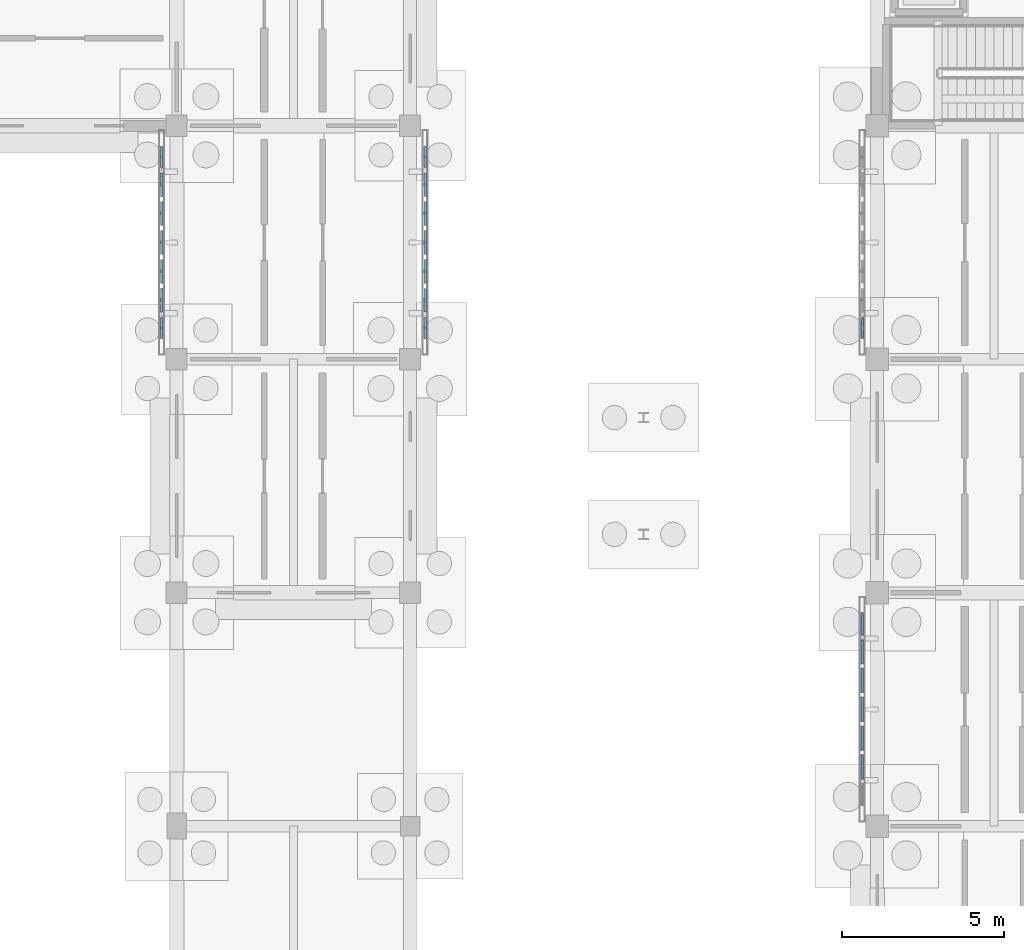
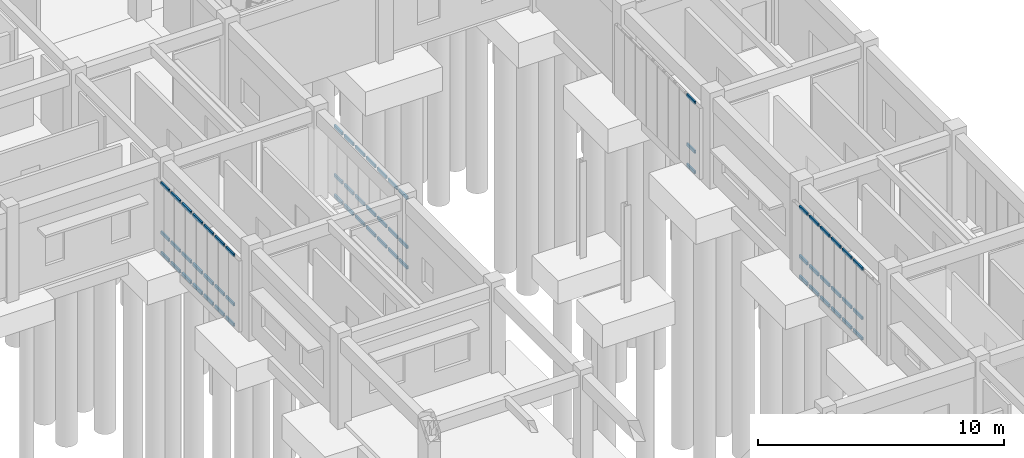
# One storey, part 45 of 111: 63 members, 4 elements without a shape of their own.
"""IFC4 building model written with IfcOpenShell, lengths in metres."""

from ifc_helpers import new_model, si_unit, direction, frame, origin, origin_2d, place, context, subcontext, project, spatial, hollow_rectangle, extrude, material, material_profile, profile_set, type_object, element, aggregate, save


model = new_model("IFC4")

# Units and contexts
model_context = context("Model", 3, precision=1e-05, world=origin(), true_north=direction((0.0, 1.0)))
body_context = subcontext(model_context, "Body", "Model", "MODEL_VIEW")
ifc_project = project(units=[si_unit("LENGTHUNIT", "METRE"), si_unit("AREAUNIT", "SQUARE_METRE"), si_unit("VOLUMEUNIT", "CUBIC_METRE"), si_unit("PLANEANGLEUNIT", "RADIAN"), si_unit("MASSUNIT", "GRAM", prefix="KILO")], contexts=[model_context])

# Site, building, storey
site_placement = place(None, origin())
site = spatial("IfcSite", under=ifc_project, at=site_placement, CompositionType="ELEMENT")
building_placement = place(site_placement, origin())
building = spatial("IfcBuilding", under=site, at=building_placement, Name="Aldebral Square Health Centre", CompositionType="ELEMENT")
storey_placement = place(building_placement, origin())
storey = spatial("IfcBuildingStorey", under=building, at=storey_placement, Name="L00", CompositionType="ELEMENT", Elevation=0.0)

# Curtain wall, members
ifc_material_1 = material(Name="Aluminium and low-E solar glass", Category="aluminium")
curtain_wall_type = type_object("IfcCurtainWallType", Name="CW-FIN-SYS", PredefinedType="USERDEFINED", material=ifc_material_1)
curtain_wall_1_placement = place(storey_placement, origin())
curtain_wall_1 = element("IfcCurtainWall", 1, at=curtain_wall_1_placement, inside=storey, type_object=curtain_wall_type, Name="L00 V5 finned curtain wall L00-V5-19-12-W", ObjectType="SOLAR_CURTAIN_WALL", PredefinedType="USERDEFINED")
ifc_material_2 = material(Name="Anodised aluminium transom", Category="aluminium")
ifc_material_profile = material_profile(ifc_material_2, hollow_rectangle(XDim=0.074951171875, YDim=0.14990234375, WallThickness=0.00390625, at=origin_2d()), Name="CWT 75x150x4")
ifc_profile_set = profile_set([ifc_material_profile], Name="Anodised aluminium transom")
member_type = type_object("IfcMemberType", Name="CWT-STD", PredefinedType="USERDEFINED", material=ifc_profile_set)
member_1_placement = place(storey_placement, frame((136.340087890625, 92.9599609375, 0.03759765625), z_axis=(0.0, -1.0, 0.0), x_axis=(1.0, 0.0, 0.0)))
member_1 = element("IfcMember", 2, at=member_1_placement, type_object=member_type, Name="CW1 transom 1.1", ObjectType="TRANSOM", PredefinedType="USERDEFINED", context=body_context, shape_type="SweptSolid", body=[
    extrude(hollow_rectangle(XDim=0.074951171875, YDim=0.14990234375, WallThickness=0.00390625, at=origin_2d()), origin(), (0.0, 0.0, 1.0), 0.6513671875),
])
member_2_placement = place(storey_placement, frame((136.340087890625, 92.9599609375, 1.050048828125), z_axis=(0.0, -1.0, 0.0), x_axis=(1.0, 0.0, 0.0)))
member_2 = element("IfcMember", 3, at=member_2_placement, type_object=member_type, Name="CW1 transom 1.2", ObjectType="TRANSOM", PredefinedType="USERDEFINED", context=body_context, shape_type="SweptSolid", body=[
    extrude(hollow_rectangle(XDim=0.074951171875, YDim=0.14990234375, WallThickness=0.00390625, at=origin_2d()), origin(), (0.0, 0.0, 1.0), 0.6513671875),
])
member_3_placement = place(storey_placement, frame((136.340087890625, 92.9599609375, 3.482421875), z_axis=(0.0, -1.0, 0.0), x_axis=(1.0, 0.0, 0.0)))
member_3 = element("IfcMember", 4, at=member_3_placement, type_object=member_type, Name="CW1 transom 1.3", ObjectType="TRANSOM", PredefinedType="USERDEFINED", context=body_context, shape_type="SweptSolid", body=[
    extrude(hollow_rectangle(XDim=0.074951171875, YDim=0.14990234375, WallThickness=0.00390625, at=origin_2d()), origin(), (0.0, 0.0, 1.0), 0.6513671875),
])
member_4_placement = place(storey_placement, frame((136.340087890625, 92.148681640625, 0.03759765625), z_axis=(0.0, -1.0, 0.0), x_axis=(1.0, 0.0, 0.0)))
member_4 = element("IfcMember", 5, at=member_4_placement, type_object=member_type, Name="CW1 transom 2.1", ObjectType="TRANSOM", PredefinedType="USERDEFINED", context=body_context, shape_type="SweptSolid", body=[
    extrude(hollow_rectangle(XDim=0.074951171875, YDim=0.14990234375, WallThickness=0.00390625, at=origin_2d()), origin(), (0.0, 0.0, 1.0), 0.7314453125),
])
member_5_placement = place(storey_placement, frame((136.340087890625, 92.148681640625, 1.050048828125), z_axis=(0.0, -1.0, 0.0), x_axis=(1.0, 0.0, 0.0)))
member_5 = element("IfcMember", 6, at=member_5_placement, type_object=member_type, Name="CW1 transom 2.2", ObjectType="TRANSOM", PredefinedType="USERDEFINED", context=body_context, shape_type="SweptSolid", body=[
    extrude(hollow_rectangle(XDim=0.074951171875, YDim=0.14990234375, WallThickness=0.00390625, at=origin_2d()), origin(), (0.0, 0.0, 1.0), 0.7314453125),
])
member_6_placement = place(storey_placement, frame((136.340087890625, 92.148681640625, 3.482421875), z_axis=(0.0, -1.0, 0.0), x_axis=(1.0, 0.0, 0.0)))
member_6 = element("IfcMember", 7, at=member_6_placement, type_object=member_type, Name="CW1 transom 2.3", ObjectType="TRANSOM", PredefinedType="USERDEFINED", context=body_context, shape_type="SweptSolid", body=[
    extrude(hollow_rectangle(XDim=0.074951171875, YDim=0.14990234375, WallThickness=0.00390625, at=origin_2d()), origin(), (0.0, 0.0, 1.0), 0.7314453125),
])
member_7_placement = place(storey_placement, frame((136.340087890625, 91.257080078125, 0.03759765625), z_axis=(0.0, -1.0, 0.0), x_axis=(1.0, 0.0, 0.0)))
member_7 = element("IfcMember", 8, at=member_7_placement, type_object=member_type, Name="CW1 transom 3.1", ObjectType="TRANSOM", PredefinedType="USERDEFINED", context=body_context, shape_type="SweptSolid", body=[
    extrude(hollow_rectangle(XDim=0.074951171875, YDim=0.14990234375, WallThickness=0.00390625, at=origin_2d()), origin(), (0.0, 0.0, 1.0), 0.7314453125),
])
member_8_placement = place(storey_placement, frame((136.340087890625, 91.257080078125, 1.050048828125), z_axis=(0.0, -1.0, 0.0), x_axis=(1.0, 0.0, 0.0)))
member_8 = element("IfcMember", 9, at=member_8_placement, type_object=member_type, Name="CW1 transom 3.2", ObjectType="TRANSOM", PredefinedType="USERDEFINED", context=body_context, shape_type="SweptSolid", body=[
    extrude(hollow_rectangle(XDim=0.074951171875, YDim=0.14990234375, WallThickness=0.00390625, at=origin_2d()), origin(), (0.0, 0.0, 1.0), 0.7314453125),
])
member_9_placement = place(storey_placement, frame((136.340087890625, 91.257080078125, 3.482421875), z_axis=(0.0, -1.0, 0.0), x_axis=(1.0, 0.0, 0.0)))
member_9 = element("IfcMember", 10, at=member_9_placement, type_object=member_type, Name="CW1 transom 3.3", ObjectType="TRANSOM", PredefinedType="USERDEFINED", context=body_context, shape_type="SweptSolid", body=[
    extrude(hollow_rectangle(XDim=0.074951171875, YDim=0.14990234375, WallThickness=0.00390625, at=origin_2d()), origin(), (0.0, 0.0, 1.0), 0.7314453125),
])
member_10_placement = place(storey_placement, frame((136.340087890625, 90.36572265625, 0.03759765625), z_axis=(0.0, -1.0, 0.0), x_axis=(1.0, 0.0, 0.0)))
member_10 = element("IfcMember", 11, at=member_10_placement, type_object=member_type, Name="CW1 transom 4.1", ObjectType="TRANSOM", PredefinedType="USERDEFINED", context=body_context, shape_type="SweptSolid", body=[
    extrude(hollow_rectangle(XDim=0.074951171875, YDim=0.14990234375, WallThickness=0.00390625, at=origin_2d()), origin(), (0.0, 0.0, 1.0), 0.7314453125),
])
member_11_placement = place(storey_placement, frame((136.340087890625, 90.36572265625, 1.050048828125), z_axis=(0.0, -1.0, 0.0), x_axis=(1.0, 0.0, 0.0)))
member_11 = element("IfcMember", 12, at=member_11_placement, type_object=member_type, Name="CW1 transom 4.2", ObjectType="TRANSOM", PredefinedType="USERDEFINED", context=body_context, shape_type="SweptSolid", body=[
    extrude(hollow_rectangle(XDim=0.074951171875, YDim=0.14990234375, WallThickness=0.00390625, at=origin_2d()), origin(), (0.0, 0.0, 1.0), 0.7314453125),
])
member_12_placement = place(storey_placement, frame((136.340087890625, 90.36572265625, 3.482421875), z_axis=(0.0, -1.0, 0.0), x_axis=(1.0, 0.0, 0.0)))
member_12 = element("IfcMember", 13, at=member_12_placement, type_object=member_type, Name="CW1 transom 4.3", ObjectType="TRANSOM", PredefinedType="USERDEFINED", context=body_context, shape_type="SweptSolid", body=[
    extrude(hollow_rectangle(XDim=0.074951171875, YDim=0.14990234375, WallThickness=0.00390625, at=origin_2d()), origin(), (0.0, 0.0, 1.0), 0.7314453125),
])
member_13_placement = place(storey_placement, frame((136.340087890625, 89.474365234375, 0.03759765625), z_axis=(0.0, -1.0, 0.0), x_axis=(1.0, 0.0, 0.0)))
member_13 = element("IfcMember", 14, at=member_13_placement, type_object=member_type, Name="CW1 transom 5.1", ObjectType="TRANSOM", PredefinedType="USERDEFINED", context=body_context, shape_type="SweptSolid", body=[
    extrude(hollow_rectangle(XDim=0.074951171875, YDim=0.14990234375, WallThickness=0.00390625, at=origin_2d()), origin(), (0.0, 0.0, 1.0), 0.7314453125),
])
member_14_placement = place(storey_placement, frame((136.340087890625, 89.474365234375, 1.050048828125), z_axis=(0.0, -1.0, 0.0), x_axis=(1.0, 0.0, 0.0)))
member_14 = element("IfcMember", 15, at=member_14_placement, type_object=member_type, Name="CW1 transom 5.2", ObjectType="TRANSOM", PredefinedType="USERDEFINED", context=body_context, shape_type="SweptSolid", body=[
    extrude(hollow_rectangle(XDim=0.074951171875, YDim=0.14990234375, WallThickness=0.00390625, at=origin_2d()), origin(), (0.0, 0.0, 1.0), 0.7314453125),
])
member_15_placement = place(storey_placement, frame((136.340087890625, 89.474365234375, 3.482421875), z_axis=(0.0, -1.0, 0.0), x_axis=(1.0, 0.0, 0.0)))
member_15 = element("IfcMember", 16, at=member_15_placement, type_object=member_type, Name="CW1 transom 5.3", ObjectType="TRANSOM", PredefinedType="USERDEFINED", context=body_context, shape_type="SweptSolid", body=[
    extrude(hollow_rectangle(XDim=0.074951171875, YDim=0.14990234375, WallThickness=0.00390625, at=origin_2d()), origin(), (0.0, 0.0, 1.0), 0.7314453125),
])
member_16_placement = place(storey_placement, frame((136.340087890625, 88.582763671875, 0.03759765625), z_axis=(0.0, -1.0, 0.0), x_axis=(1.0, 0.0, 0.0)))
member_16 = element("IfcMember", 17, at=member_16_placement, type_object=member_type, Name="CW1 transom 6.1", ObjectType="TRANSOM", PredefinedType="USERDEFINED", context=body_context, shape_type="SweptSolid", body=[
    extrude(hollow_rectangle(XDim=0.074951171875, YDim=0.14990234375, WallThickness=0.00390625, at=origin_2d()), origin(), (0.0, 0.0, 1.0), 0.7314453125),
])
member_17_placement = place(storey_placement, frame((136.340087890625, 88.582763671875, 1.050048828125), z_axis=(0.0, -1.0, 0.0), x_axis=(1.0, 0.0, 0.0)))
member_17 = element("IfcMember", 18, at=member_17_placement, type_object=member_type, Name="CW1 transom 6.2", ObjectType="TRANSOM", PredefinedType="USERDEFINED", context=body_context, shape_type="SweptSolid", body=[
    extrude(hollow_rectangle(XDim=0.074951171875, YDim=0.14990234375, WallThickness=0.00390625, at=origin_2d()), origin(), (0.0, 0.0, 1.0), 0.7314453125),
])
member_18_placement = place(storey_placement, frame((136.340087890625, 88.582763671875, 3.482421875), z_axis=(0.0, -1.0, 0.0), x_axis=(1.0, 0.0, 0.0)))
member_18 = element("IfcMember", 19, at=member_18_placement, type_object=member_type, Name="CW1 transom 6.3", ObjectType="TRANSOM", PredefinedType="USERDEFINED", context=body_context, shape_type="SweptSolid", body=[
    extrude(hollow_rectangle(XDim=0.074951171875, YDim=0.14990234375, WallThickness=0.00390625, at=origin_2d()), origin(), (0.0, 0.0, 1.0), 0.7314453125),
])
member_19_placement = place(storey_placement, frame((136.340087890625, 87.69140625, 0.03759765625), z_axis=(0.0, -1.0, 0.0), x_axis=(1.0, 0.0, 0.0)))
member_19 = element("IfcMember", 20, at=member_19_placement, type_object=member_type, Name="CW1 transom 7.1", ObjectType="TRANSOM", PredefinedType="USERDEFINED", context=body_context, shape_type="SweptSolid", body=[
    extrude(hollow_rectangle(XDim=0.074951171875, YDim=0.14990234375, WallThickness=0.00390625, at=origin_2d()), origin(), (0.0, 0.0, 1.0), 0.6513671875),
])
member_20_placement = place(storey_placement, frame((136.340087890625, 87.69140625, 1.050048828125), z_axis=(0.0, -1.0, 0.0), x_axis=(1.0, 0.0, 0.0)))
member_20 = element("IfcMember", 21, at=member_20_placement, type_object=member_type, Name="CW1 transom 7.2", ObjectType="TRANSOM", PredefinedType="USERDEFINED", context=body_context, shape_type="SweptSolid", body=[
    extrude(hollow_rectangle(XDim=0.074951171875, YDim=0.14990234375, WallThickness=0.00390625, at=origin_2d()), origin(), (0.0, 0.0, 1.0), 0.6513671875),
])
member_21_placement = place(storey_placement, frame((136.340087890625, 87.69140625, 3.482421875), z_axis=(0.0, -1.0, 0.0), x_axis=(1.0, 0.0, 0.0)))
member_21 = element("IfcMember", 22, at=member_21_placement, type_object=member_type, Name="CW1 transom 7.3", ObjectType="TRANSOM", PredefinedType="USERDEFINED", context=body_context, shape_type="SweptSolid", body=[
    extrude(hollow_rectangle(XDim=0.074951171875, YDim=0.14990234375, WallThickness=0.00390625, at=origin_2d()), origin(), (0.0, 0.0, 1.0), 0.6513671875),
])
aggregate(curtain_wall_1, [member_1, member_2, member_3, member_4, member_5, member_6, member_7, member_8, member_9, member_10, member_11, member_12, member_13, member_14, member_15, member_16, member_17, member_18, member_19, member_20, member_21])

curtain_wall_2_placement = place(storey_placement, origin())
curtain_wall_2 = element("IfcCurtainWall", 23, at=curtain_wall_2_placement, inside=storey, type_object=curtain_wall_type, Name="L00 V5 finned curtain wall L00-V5-19-12-E", ObjectType="SOLAR_CURTAIN_WALL", PredefinedType="USERDEFINED")
member_22_placement = place(storey_placement, frame((144.4599609375, 87.0400390625, 0.03759765625), z_axis=(0.0, 1.0, 0.0), x_axis=(-1.0, 0.0, 0.0)))
member_22 = element("IfcMember", 24, at=member_22_placement, type_object=member_type, Name="CW1 transom 1.1", ObjectType="TRANSOM", PredefinedType="USERDEFINED", context=body_context, shape_type="SweptSolid", body=[
    extrude(hollow_rectangle(XDim=0.074951171875, YDim=0.14990234375, WallThickness=0.00390625, at=origin_2d()), origin(), (0.0, 0.0, 1.0), 0.6513671875),
])
member_23_placement = place(storey_placement, frame((144.4599609375, 87.0400390625, 1.050048828125), z_axis=(0.0, 1.0, 0.0), x_axis=(-1.0, 0.0, 0.0)))
member_23 = element("IfcMember", 25, at=member_23_placement, type_object=member_type, Name="CW1 transom 1.2", ObjectType="TRANSOM", PredefinedType="USERDEFINED", context=body_context, shape_type="SweptSolid", body=[
    extrude(hollow_rectangle(XDim=0.074951171875, YDim=0.14990234375, WallThickness=0.00390625, at=origin_2d()), origin(), (0.0, 0.0, 1.0), 0.6513671875),
])
member_24_placement = place(storey_placement, frame((144.4599609375, 87.0400390625, 3.482421875), z_axis=(0.0, 1.0, 0.0), x_axis=(-1.0, 0.0, 0.0)))
member_24 = element("IfcMember", 26, at=member_24_placement, type_object=member_type, Name="CW1 transom 1.3", ObjectType="TRANSOM", PredefinedType="USERDEFINED", context=body_context, shape_type="SweptSolid", body=[
    extrude(hollow_rectangle(XDim=0.074951171875, YDim=0.14990234375, WallThickness=0.00390625, at=origin_2d()), origin(), (0.0, 0.0, 1.0), 0.6513671875),
])
member_25_placement = place(storey_placement, frame((144.4599609375, 87.851318359375, 0.03759765625), z_axis=(0.0, 1.0, 0.0), x_axis=(-1.0, 0.0, 0.0)))
member_25 = element("IfcMember", 27, at=member_25_placement, type_object=member_type, Name="CW1 transom 2.1", ObjectType="TRANSOM", PredefinedType="USERDEFINED", context=body_context, shape_type="SweptSolid", body=[
    extrude(hollow_rectangle(XDim=0.074951171875, YDim=0.14990234375, WallThickness=0.00390625, at=origin_2d()), origin(), (0.0, 0.0, 1.0), 0.7314453125),
])
member_26_placement = place(storey_placement, frame((144.4599609375, 87.851318359375, 1.050048828125), z_axis=(0.0, 1.0, 0.0), x_axis=(-1.0, 0.0, 0.0)))
member_26 = element("IfcMember", 28, at=member_26_placement, type_object=member_type, Name="CW1 transom 2.2", ObjectType="TRANSOM", PredefinedType="USERDEFINED", context=body_context, shape_type="SweptSolid", body=[
    extrude(hollow_rectangle(XDim=0.074951171875, YDim=0.14990234375, WallThickness=0.00390625, at=origin_2d()), origin(), (0.0, 0.0, 1.0), 0.7314453125),
])
member_27_placement = place(storey_placement, frame((144.4599609375, 87.851318359375, 3.482421875), z_axis=(0.0, 1.0, 0.0), x_axis=(-1.0, 0.0, 0.0)))
member_27 = element("IfcMember", 29, at=member_27_placement, type_object=member_type, Name="CW1 transom 2.3", ObjectType="TRANSOM", PredefinedType="USERDEFINED", context=body_context, shape_type="SweptSolid", body=[
    extrude(hollow_rectangle(XDim=0.074951171875, YDim=0.14990234375, WallThickness=0.00390625, at=origin_2d()), origin(), (0.0, 0.0, 1.0), 0.7314453125),
])
member_28_placement = place(storey_placement, frame((144.4599609375, 88.742919921875, 0.03759765625), z_axis=(0.0, 1.0, 0.0), x_axis=(-1.0, 0.0, 0.0)))
member_28 = element("IfcMember", 30, at=member_28_placement, type_object=member_type, Name="CW1 transom 3.1", ObjectType="TRANSOM", PredefinedType="USERDEFINED", context=body_context, shape_type="SweptSolid", body=[
    extrude(hollow_rectangle(XDim=0.074951171875, YDim=0.14990234375, WallThickness=0.00390625, at=origin_2d()), origin(), (0.0, 0.0, 1.0), 0.7314453125),
])
member_29_placement = place(storey_placement, frame((144.4599609375, 88.742919921875, 1.050048828125), z_axis=(0.0, 1.0, 0.0), x_axis=(-1.0, 0.0, 0.0)))
member_29 = element("IfcMember", 31, at=member_29_placement, type_object=member_type, Name="CW1 transom 3.2", ObjectType="TRANSOM", PredefinedType="USERDEFINED", context=body_context, shape_type="SweptSolid", body=[
    extrude(hollow_rectangle(XDim=0.074951171875, YDim=0.14990234375, WallThickness=0.00390625, at=origin_2d()), origin(), (0.0, 0.0, 1.0), 0.7314453125),
])
member_30_placement = place(storey_placement, frame((144.4599609375, 88.742919921875, 3.482421875), z_axis=(0.0, 1.0, 0.0), x_axis=(-1.0, 0.0, 0.0)))
member_30 = element("IfcMember", 32, at=member_30_placement, type_object=member_type, Name="CW1 transom 3.3", ObjectType="TRANSOM", PredefinedType="USERDEFINED", context=body_context, shape_type="SweptSolid", body=[
    extrude(hollow_rectangle(XDim=0.074951171875, YDim=0.14990234375, WallThickness=0.00390625, at=origin_2d()), origin(), (0.0, 0.0, 1.0), 0.7314453125),
])
member_31_placement = place(storey_placement, frame((144.4599609375, 89.63427734375, 0.03759765625), z_axis=(0.0, 1.0, 0.0), x_axis=(-1.0, 0.0, 0.0)))
member_31 = element("IfcMember", 33, at=member_31_placement, type_object=member_type, Name="CW1 transom 4.1", ObjectType="TRANSOM", PredefinedType="USERDEFINED", context=body_context, shape_type="SweptSolid", body=[
    extrude(hollow_rectangle(XDim=0.074951171875, YDim=0.14990234375, WallThickness=0.00390625, at=origin_2d()), origin(), (0.0, 0.0, 1.0), 0.7314453125),
])
member_32_placement = place(storey_placement, frame((144.4599609375, 89.63427734375, 1.050048828125), z_axis=(0.0, 1.0, 0.0), x_axis=(-1.0, 0.0, 0.0)))
member_32 = element("IfcMember", 34, at=member_32_placement, type_object=member_type, Name="CW1 transom 4.2", ObjectType="TRANSOM", PredefinedType="USERDEFINED", context=body_context, shape_type="SweptSolid", body=[
    extrude(hollow_rectangle(XDim=0.074951171875, YDim=0.14990234375, WallThickness=0.00390625, at=origin_2d()), origin(), (0.0, 0.0, 1.0), 0.7314453125),
])
member_33_placement = place(storey_placement, frame((144.4599609375, 89.63427734375, 3.482421875), z_axis=(0.0, 1.0, 0.0), x_axis=(-1.0, 0.0, 0.0)))
member_33 = element("IfcMember", 35, at=member_33_placement, type_object=member_type, Name="CW1 transom 4.3", ObjectType="TRANSOM", PredefinedType="USERDEFINED", context=body_context, shape_type="SweptSolid", body=[
    extrude(hollow_rectangle(XDim=0.074951171875, YDim=0.14990234375, WallThickness=0.00390625, at=origin_2d()), origin(), (0.0, 0.0, 1.0), 0.7314453125),
])
member_34_placement = place(storey_placement, frame((144.4599609375, 90.525634765625, 0.03759765625), z_axis=(0.0, 1.0, 0.0), x_axis=(-1.0, 0.0, 0.0)))
member_34 = element("IfcMember", 36, at=member_34_placement, type_object=member_type, Name="CW1 transom 5.1", ObjectType="TRANSOM", PredefinedType="USERDEFINED", context=body_context, shape_type="SweptSolid", body=[
    extrude(hollow_rectangle(XDim=0.074951171875, YDim=0.14990234375, WallThickness=0.00390625, at=origin_2d()), origin(), (0.0, 0.0, 1.0), 0.7314453125),
])
member_35_placement = place(storey_placement, frame((144.4599609375, 90.525634765625, 1.050048828125), z_axis=(0.0, 1.0, 0.0), x_axis=(-1.0, 0.0, 0.0)))
member_35 = element("IfcMember", 37, at=member_35_placement, type_object=member_type, Name="CW1 transom 5.2", ObjectType="TRANSOM", PredefinedType="USERDEFINED", context=body_context, shape_type="SweptSolid", body=[
    extrude(hollow_rectangle(XDim=0.074951171875, YDim=0.14990234375, WallThickness=0.00390625, at=origin_2d()), origin(), (0.0, 0.0, 1.0), 0.7314453125),
])
member_36_placement = place(storey_placement, frame((144.4599609375, 90.525634765625, 3.482421875), z_axis=(0.0, 1.0, 0.0), x_axis=(-1.0, 0.0, 0.0)))
member_36 = element("IfcMember", 38, at=member_36_placement, type_object=member_type, Name="CW1 transom 5.3", ObjectType="TRANSOM", PredefinedType="USERDEFINED", context=body_context, shape_type="SweptSolid", body=[
    extrude(hollow_rectangle(XDim=0.074951171875, YDim=0.14990234375, WallThickness=0.00390625, at=origin_2d()), origin(), (0.0, 0.0, 1.0), 0.7314453125),
])
member_37_placement = place(storey_placement, frame((144.4599609375, 91.417236328125, 0.03759765625), z_axis=(0.0, 1.0, 0.0), x_axis=(-1.0, 0.0, 0.0)))
member_37 = element("IfcMember", 39, at=member_37_placement, type_object=member_type, Name="CW1 transom 6.1", ObjectType="TRANSOM", PredefinedType="USERDEFINED", context=body_context, shape_type="SweptSolid", body=[
    extrude(hollow_rectangle(XDim=0.074951171875, YDim=0.14990234375, WallThickness=0.00390625, at=origin_2d()), origin(), (0.0, 0.0, 1.0), 0.7314453125),
])
member_38_placement = place(storey_placement, frame((144.4599609375, 91.417236328125, 1.050048828125), z_axis=(0.0, 1.0, 0.0), x_axis=(-1.0, 0.0, 0.0)))
member_38 = element("IfcMember", 40, at=member_38_placement, type_object=member_type, Name="CW1 transom 6.2", ObjectType="TRANSOM", PredefinedType="USERDEFINED", context=body_context, shape_type="SweptSolid", body=[
    extrude(hollow_rectangle(XDim=0.074951171875, YDim=0.14990234375, WallThickness=0.00390625, at=origin_2d()), origin(), (0.0, 0.0, 1.0), 0.7314453125),
])
member_39_placement = place(storey_placement, frame((144.4599609375, 91.417236328125, 3.482421875), z_axis=(0.0, 1.0, 0.0), x_axis=(-1.0, 0.0, 0.0)))
member_39 = element("IfcMember", 41, at=member_39_placement, type_object=member_type, Name="CW1 transom 6.3", ObjectType="TRANSOM", PredefinedType="USERDEFINED", context=body_context, shape_type="SweptSolid", body=[
    extrude(hollow_rectangle(XDim=0.074951171875, YDim=0.14990234375, WallThickness=0.00390625, at=origin_2d()), origin(), (0.0, 0.0, 1.0), 0.7314453125),
])
member_40_placement = place(storey_placement, frame((144.4599609375, 92.30859375, 0.03759765625), z_axis=(0.0, 1.0, 0.0), x_axis=(-1.0, 0.0, 0.0)))
member_40 = element("IfcMember", 42, at=member_40_placement, type_object=member_type, Name="CW1 transom 7.1", ObjectType="TRANSOM", PredefinedType="USERDEFINED", context=body_context, shape_type="SweptSolid", body=[
    extrude(hollow_rectangle(XDim=0.074951171875, YDim=0.14990234375, WallThickness=0.00390625, at=origin_2d()), origin(), (0.0, 0.0, 1.0), 0.6513671875),
])
member_41_placement = place(storey_placement, frame((144.4599609375, 92.30859375, 1.050048828125), z_axis=(0.0, 1.0, 0.0), x_axis=(-1.0, 0.0, 0.0)))
member_41 = element("IfcMember", 43, at=member_41_placement, type_object=member_type, Name="CW1 transom 7.2", ObjectType="TRANSOM", PredefinedType="USERDEFINED", context=body_context, shape_type="SweptSolid", body=[
    extrude(hollow_rectangle(XDim=0.074951171875, YDim=0.14990234375, WallThickness=0.00390625, at=origin_2d()), origin(), (0.0, 0.0, 1.0), 0.6513671875),
])
member_42_placement = place(storey_placement, frame((144.4599609375, 92.30859375, 3.482421875), z_axis=(0.0, 1.0, 0.0), x_axis=(-1.0, 0.0, 0.0)))
member_42 = element("IfcMember", 44, at=member_42_placement, type_object=member_type, Name="CW1 transom 7.3", ObjectType="TRANSOM", PredefinedType="USERDEFINED", context=body_context, shape_type="SweptSolid", body=[
    extrude(hollow_rectangle(XDim=0.074951171875, YDim=0.14990234375, WallThickness=0.00390625, at=origin_2d()), origin(), (0.0, 0.0, 1.0), 0.6513671875),
])
aggregate(curtain_wall_2, [member_22, member_23, member_24, member_25, member_26, member_27, member_28, member_29, member_30, member_31, member_32, member_33, member_34, member_35, member_36, member_37, member_38, member_39, member_40, member_41, member_42])

curtain_wall_3_placement = place(storey_placement, origin())
curtain_wall_3 = element("IfcCurtainWall", 45, at=curtain_wall_3_placement, inside=storey, type_object=curtain_wall_type, Name="L00 V5 finned curtain wall L00-V5-22-10-W", ObjectType="SOLAR_CURTAIN_WALL", PredefinedType="USERDEFINED")
member_43_placement = place(storey_placement, frame((157.93994140625, 78.56005859375, 0.03759765625), z_axis=(0.0, -1.0, 0.0), x_axis=(1.0, 0.0, 0.0)))
member_43 = element("IfcMember", 46, at=member_43_placement, type_object=member_type, Name="CW1 transom 1.1", ObjectType="TRANSOM", PredefinedType="USERDEFINED", context=body_context, shape_type="SweptSolid", body=[
    extrude(hollow_rectangle(XDim=0.074951171875, YDim=0.14990234375, WallThickness=0.00390625, at=origin_2d()), origin(), (0.0, 0.0, 1.0), 0.6513671875),
])
member_44_placement = place(storey_placement, frame((157.93994140625, 78.56005859375, 1.050048828125), z_axis=(0.0, -1.0, 0.0), x_axis=(1.0, 0.0, 0.0)))
member_44 = element("IfcMember", 47, at=member_44_placement, type_object=member_type, Name="CW1 transom 1.2", ObjectType="TRANSOM", PredefinedType="USERDEFINED", context=body_context, shape_type="SweptSolid", body=[
    extrude(hollow_rectangle(XDim=0.074951171875, YDim=0.14990234375, WallThickness=0.00390625, at=origin_2d()), origin(), (0.0, 0.0, 1.0), 0.6513671875),
])
member_45_placement = place(storey_placement, frame((157.93994140625, 78.56005859375, 3.482421875), z_axis=(0.0, -1.0, 0.0), x_axis=(1.0, 0.0, 0.0)))
member_45 = element("IfcMember", 48, at=member_45_placement, type_object=member_type, Name="CW1 transom 1.3", ObjectType="TRANSOM", PredefinedType="USERDEFINED", context=body_context, shape_type="SweptSolid", body=[
    extrude(hollow_rectangle(XDim=0.074951171875, YDim=0.14990234375, WallThickness=0.00390625, at=origin_2d()), origin(), (0.0, 0.0, 1.0), 0.6513671875),
])
member_46_placement = place(storey_placement, frame((157.93994140625, 77.74853515625, 0.03759765625), z_axis=(0.0, -1.0, 0.0), x_axis=(1.0, 0.0, 0.0)))
member_46 = element("IfcMember", 49, at=member_46_placement, type_object=member_type, Name="CW1 transom 2.1", ObjectType="TRANSOM", PredefinedType="USERDEFINED", context=body_context, shape_type="SweptSolid", body=[
    extrude(hollow_rectangle(XDim=0.074951171875, YDim=0.14990234375, WallThickness=0.00390625, at=origin_2d()), origin(), (0.0, 0.0, 1.0), 0.7314453125),
])
member_47_placement = place(storey_placement, frame((157.93994140625, 77.74853515625, 1.050048828125), z_axis=(0.0, -1.0, 0.0), x_axis=(1.0, 0.0, 0.0)))
member_47 = element("IfcMember", 50, at=member_47_placement, type_object=member_type, Name="CW1 transom 2.2", ObjectType="TRANSOM", PredefinedType="USERDEFINED", context=body_context, shape_type="SweptSolid", body=[
    extrude(hollow_rectangle(XDim=0.074951171875, YDim=0.14990234375, WallThickness=0.00390625, at=origin_2d()), origin(), (0.0, 0.0, 1.0), 0.7314453125),
])
member_48_placement = place(storey_placement, frame((157.93994140625, 77.74853515625, 3.482421875), z_axis=(0.0, -1.0, 0.0), x_axis=(1.0, 0.0, 0.0)))
member_48 = element("IfcMember", 51, at=member_48_placement, type_object=member_type, Name="CW1 transom 2.3", ObjectType="TRANSOM", PredefinedType="USERDEFINED", context=body_context, shape_type="SweptSolid", body=[
    extrude(hollow_rectangle(XDim=0.074951171875, YDim=0.14990234375, WallThickness=0.00390625, at=origin_2d()), origin(), (0.0, 0.0, 1.0), 0.7314453125),
])
member_49_placement = place(storey_placement, frame((157.93994140625, 76.857177734375, 0.03759765625), z_axis=(0.0, -1.0, 0.0), x_axis=(1.0, 0.0, 0.0)))
member_49 = element("IfcMember", 52, at=member_49_placement, type_object=member_type, Name="CW1 transom 3.1", ObjectType="TRANSOM", PredefinedType="USERDEFINED", context=body_context, shape_type="SweptSolid", body=[
    extrude(hollow_rectangle(XDim=0.074951171875, YDim=0.14990234375, WallThickness=0.00390625, at=origin_2d()), origin(), (0.0, 0.0, 1.0), 0.7314453125),
])
member_50_placement = place(storey_placement, frame((157.93994140625, 76.857177734375, 1.050048828125), z_axis=(0.0, -1.0, 0.0), x_axis=(1.0, 0.0, 0.0)))
member_50 = element("IfcMember", 53, at=member_50_placement, type_object=member_type, Name="CW1 transom 3.2", ObjectType="TRANSOM", PredefinedType="USERDEFINED", context=body_context, shape_type="SweptSolid", body=[
    extrude(hollow_rectangle(XDim=0.074951171875, YDim=0.14990234375, WallThickness=0.00390625, at=origin_2d()), origin(), (0.0, 0.0, 1.0), 0.7314453125),
])
member_51_placement = place(storey_placement, frame((157.93994140625, 76.857177734375, 3.482421875), z_axis=(0.0, -1.0, 0.0), x_axis=(1.0, 0.0, 0.0)))
member_51 = element("IfcMember", 54, at=member_51_placement, type_object=member_type, Name="CW1 transom 3.3", ObjectType="TRANSOM", PredefinedType="USERDEFINED", context=body_context, shape_type="SweptSolid", body=[
    extrude(hollow_rectangle(XDim=0.074951171875, YDim=0.14990234375, WallThickness=0.00390625, at=origin_2d()), origin(), (0.0, 0.0, 1.0), 0.7314453125),
])
member_52_placement = place(storey_placement, frame((157.93994140625, 75.9658203125, 0.03759765625), z_axis=(0.0, -1.0, 0.0), x_axis=(1.0, 0.0, 0.0)))
member_52 = element("IfcMember", 55, at=member_52_placement, type_object=member_type, Name="CW1 transom 4.1", ObjectType="TRANSOM", PredefinedType="USERDEFINED", context=body_context, shape_type="SweptSolid", body=[
    extrude(hollow_rectangle(XDim=0.074951171875, YDim=0.14990234375, WallThickness=0.00390625, at=origin_2d()), origin(), (0.0, 0.0, 1.0), 0.7314453125),
])
member_53_placement = place(storey_placement, frame((157.93994140625, 75.9658203125, 1.050048828125), z_axis=(0.0, -1.0, 0.0), x_axis=(1.0, 0.0, 0.0)))
member_53 = element("IfcMember", 56, at=member_53_placement, type_object=member_type, Name="CW1 transom 4.2", ObjectType="TRANSOM", PredefinedType="USERDEFINED", context=body_context, shape_type="SweptSolid", body=[
    extrude(hollow_rectangle(XDim=0.074951171875, YDim=0.14990234375, WallThickness=0.00390625, at=origin_2d()), origin(), (0.0, 0.0, 1.0), 0.7314453125),
])
member_54_placement = place(storey_placement, frame((157.93994140625, 75.9658203125, 3.482421875), z_axis=(0.0, -1.0, 0.0), x_axis=(1.0, 0.0, 0.0)))
member_54 = element("IfcMember", 57, at=member_54_placement, type_object=member_type, Name="CW1 transom 4.3", ObjectType="TRANSOM", PredefinedType="USERDEFINED", context=body_context, shape_type="SweptSolid", body=[
    extrude(hollow_rectangle(XDim=0.074951171875, YDim=0.14990234375, WallThickness=0.00390625, at=origin_2d()), origin(), (0.0, 0.0, 1.0), 0.7314453125),
])
member_55_placement = place(storey_placement, frame((157.93994140625, 75.07421875, 0.03759765625), z_axis=(0.0, -1.0, 0.0), x_axis=(1.0, 0.0, 0.0)))
member_55 = element("IfcMember", 58, at=member_55_placement, type_object=member_type, Name="CW1 transom 5.1", ObjectType="TRANSOM", PredefinedType="USERDEFINED", context=body_context, shape_type="SweptSolid", body=[
    extrude(hollow_rectangle(XDim=0.074951171875, YDim=0.14990234375, WallThickness=0.00390625, at=origin_2d()), origin(), (0.0, 0.0, 1.0), 0.7314453125),
])
member_56_placement = place(storey_placement, frame((157.93994140625, 75.07421875, 1.050048828125), z_axis=(0.0, -1.0, 0.0), x_axis=(1.0, 0.0, 0.0)))
member_56 = element("IfcMember", 59, at=member_56_placement, type_object=member_type, Name="CW1 transom 5.2", ObjectType="TRANSOM", PredefinedType="USERDEFINED", context=body_context, shape_type="SweptSolid", body=[
    extrude(hollow_rectangle(XDim=0.074951171875, YDim=0.14990234375, WallThickness=0.00390625, at=origin_2d()), origin(), (0.0, 0.0, 1.0), 0.7314453125),
])
member_57_placement = place(storey_placement, frame((157.93994140625, 75.07421875, 3.482421875), z_axis=(0.0, -1.0, 0.0), x_axis=(1.0, 0.0, 0.0)))
member_57 = element("IfcMember", 60, at=member_57_placement, type_object=member_type, Name="CW1 transom 5.3", ObjectType="TRANSOM", PredefinedType="USERDEFINED", context=body_context, shape_type="SweptSolid", body=[
    extrude(hollow_rectangle(XDim=0.074951171875, YDim=0.14990234375, WallThickness=0.00390625, at=origin_2d()), origin(), (0.0, 0.0, 1.0), 0.7314453125),
])
member_58_placement = place(storey_placement, frame((157.93994140625, 74.182861328125, 0.03759765625), z_axis=(0.0, -1.0, 0.0), x_axis=(1.0, 0.0, 0.0)))
member_58 = element("IfcMember", 61, at=member_58_placement, type_object=member_type, Name="CW1 transom 6.1", ObjectType="TRANSOM", PredefinedType="USERDEFINED", context=body_context, shape_type="SweptSolid", body=[
    extrude(hollow_rectangle(XDim=0.074951171875, YDim=0.14990234375, WallThickness=0.00390625, at=origin_2d()), origin(), (0.0, 0.0, 1.0), 0.7314453125),
])
member_59_placement = place(storey_placement, frame((157.93994140625, 74.182861328125, 1.050048828125), z_axis=(0.0, -1.0, 0.0), x_axis=(1.0, 0.0, 0.0)))
member_59 = element("IfcMember", 62, at=member_59_placement, type_object=member_type, Name="CW1 transom 6.2", ObjectType="TRANSOM", PredefinedType="USERDEFINED", context=body_context, shape_type="SweptSolid", body=[
    extrude(hollow_rectangle(XDim=0.074951171875, YDim=0.14990234375, WallThickness=0.00390625, at=origin_2d()), origin(), (0.0, 0.0, 1.0), 0.7314453125),
])
member_60_placement = place(storey_placement, frame((157.93994140625, 74.182861328125, 3.482421875), z_axis=(0.0, -1.0, 0.0), x_axis=(1.0, 0.0, 0.0)))
member_60 = element("IfcMember", 63, at=member_60_placement, type_object=member_type, Name="CW1 transom 6.3", ObjectType="TRANSOM", PredefinedType="USERDEFINED", context=body_context, shape_type="SweptSolid", body=[
    extrude(hollow_rectangle(XDim=0.074951171875, YDim=0.14990234375, WallThickness=0.00390625, at=origin_2d()), origin(), (0.0, 0.0, 1.0), 0.7314453125),
])
aggregate(curtain_wall_3, [member_43, member_44, member_45, member_46, member_47, member_48, member_49, member_50, member_51, member_52, member_53, member_54, member_55, member_56, member_57, member_58, member_59, member_60])

curtain_wall_4_placement = place(storey_placement, origin())
curtain_wall_4 = element("IfcCurtainWall", 64, at=curtain_wall_4_placement, inside=storey, type_object=curtain_wall_type, Name="L00 V5 finned curtain wall L00-V5-22-12-W", ObjectType="SOLAR_CURTAIN_WALL", PredefinedType="USERDEFINED")
member_61_placement = place(storey_placement, frame((157.93994140625, 87.69140625, 0.03759765625), z_axis=(0.0, -1.0, 0.0), x_axis=(1.0, 0.0, 0.0)))
member_61 = element("IfcMember", 65, at=member_61_placement, type_object=member_type, Name="CW1 transom 7.1", ObjectType="TRANSOM", PredefinedType="USERDEFINED", context=body_context, shape_type="SweptSolid", body=[
    extrude(hollow_rectangle(XDim=0.074951171875, YDim=0.14990234375, WallThickness=0.00390625, at=origin_2d()), origin(), (0.0, 0.0, 1.0), 0.6513671875),
])
member_62_placement = place(storey_placement, frame((157.93994140625, 87.69140625, 1.050048828125), z_axis=(0.0, -1.0, 0.0), x_axis=(1.0, 0.0, 0.0)))
member_62 = element("IfcMember", 66, at=member_62_placement, type_object=member_type, Name="CW1 transom 7.2", ObjectType="TRANSOM", PredefinedType="USERDEFINED", context=body_context, shape_type="SweptSolid", body=[
    extrude(hollow_rectangle(XDim=0.074951171875, YDim=0.14990234375, WallThickness=0.00390625, at=origin_2d()), origin(), (0.0, 0.0, 1.0), 0.6513671875),
])
member_63_placement = place(storey_placement, frame((157.93994140625, 87.69140625, 3.482421875), z_axis=(0.0, -1.0, 0.0), x_axis=(1.0, 0.0, 0.0)))
member_63 = element("IfcMember", 67, at=member_63_placement, type_object=member_type, Name="CW1 transom 7.3", ObjectType="TRANSOM", PredefinedType="USERDEFINED", context=body_context, shape_type="SweptSolid", body=[
    extrude(hollow_rectangle(XDim=0.074951171875, YDim=0.14990234375, WallThickness=0.00390625, at=origin_2d()), origin(), (0.0, 0.0, 1.0), 0.6513671875),
])
aggregate(curtain_wall_4, [member_61, member_62, member_63])

save(model, "model.ifc")
